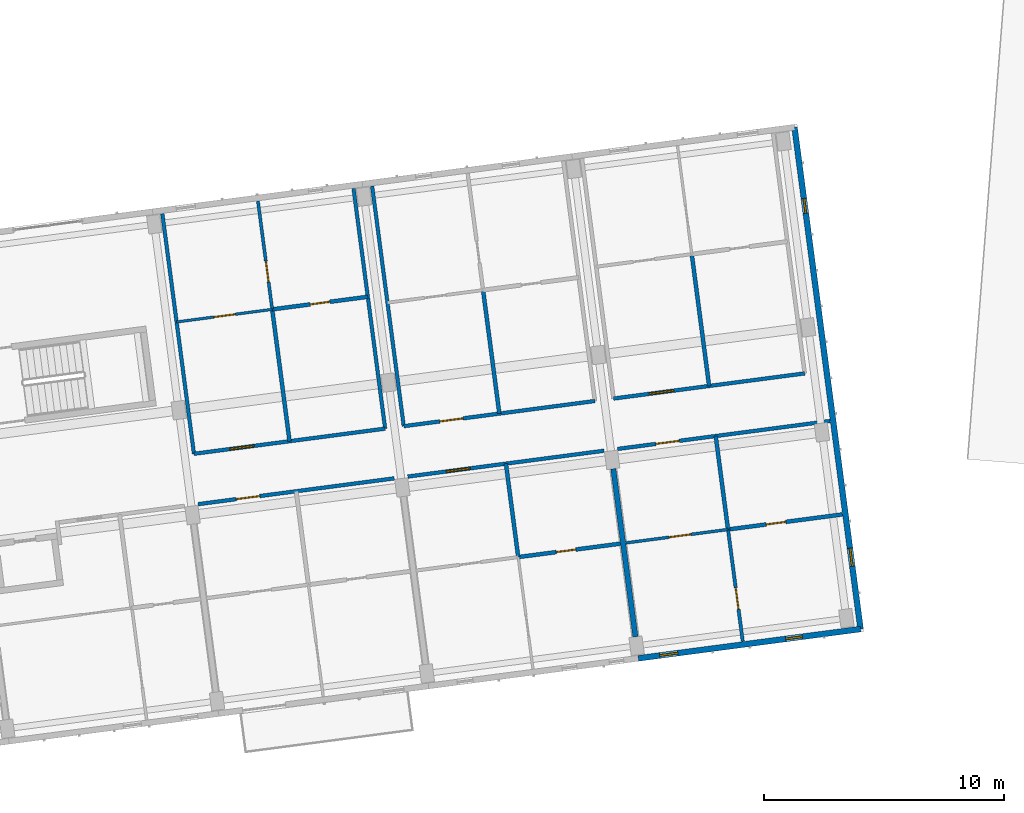
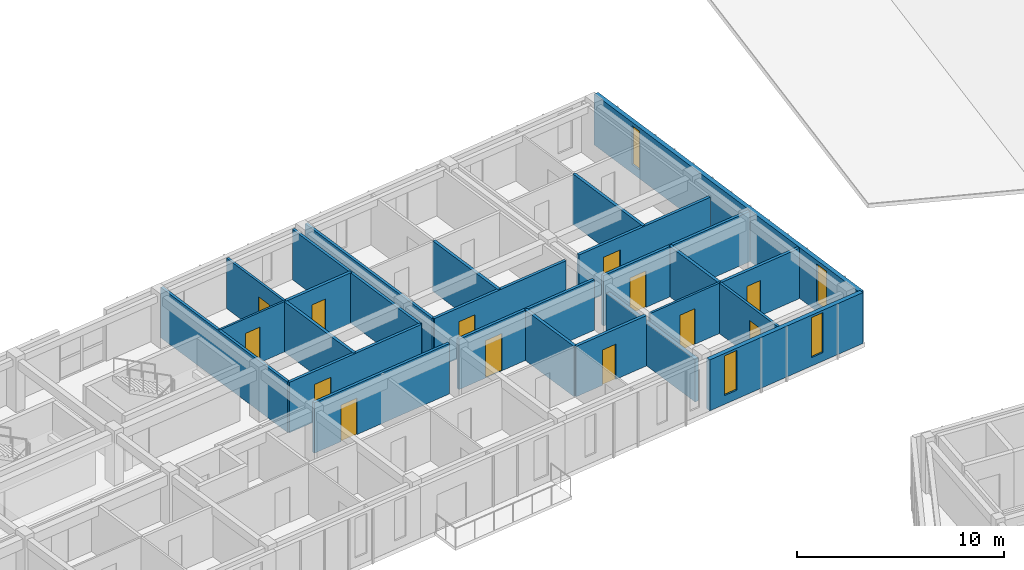
# One storey, part 27 of 74: 24 walls, 13 doors, 4 windows, 17 openings.
"""IFC4 building model written with IfcOpenShell, lengths in metres."""

from ifc_helpers import new_model, si_unit, direction, frame, frame_2d, origin, place, context, subcontext, project, spatial, rectangle, extrude, material, layer, layer_set, type_object, element, fill, save


model = new_model("IFC4")

# Units and contexts
model_context = context("Model", 3, precision=1e-05, world=origin(), true_north=direction((0.0, 1.0)))
body_context = subcontext(model_context, "Body", "Model", "MODEL_VIEW")
ifc_project = project(units=[si_unit("LENGTHUNIT", "METRE"), si_unit("AREAUNIT", "SQUARE_METRE"), si_unit("VOLUMEUNIT", "CUBIC_METRE"), si_unit("PLANEANGLEUNIT", "RADIAN"), si_unit("MASSUNIT", "GRAM", prefix="KILO")], contexts=[model_context])

# Site, building, storey
site_placement = place(None, origin())
site = spatial("IfcSite", under=ifc_project, at=site_placement, CompositionType="ELEMENT")
building_placement = place(site_placement, origin())
building = spatial("IfcBuilding", under=site, at=building_placement, Name="Kestramere Prow Commons", CompositionType="ELEMENT")
storey_placement = place(building_placement, frame((0.0, 0.0, 11.64990234375)))
storey = spatial("IfcBuildingStorey", under=building, at=storey_placement, Name="L03", CompositionType="ELEMENT", Elevation=11.64990234375)

# Wall, openings, windows
ifc_material_1 = material(Name="Fluoropolymer Standing-Seam Zinc-Aluminium Cladding", Category="aluminium")
ifc_layer_1 = layer(ifc_material_1, 0.239990234375)
ifc_layer_set_1 = layer_set([ifc_layer_1], Name="Fluoropolymer Standing-Seam Zinc-Aluminium Cladding")
wall_type_1 = type_object("IfcWallType", Name="EW-SEAM-240", PredefinedType="SOLIDWALL", material=ifc_layer_set_1)
wall_1_placement = place(storey_placement, frame((64.13720703125, 78.439697265625, 0.0), z_axis=(0.0, 0.0, 1.0), x_axis=(-0.991446273426, -0.130515466173, 0.0)))
wall_1 = element("IfcWall", 1, at=wall_1_placement, inside=storey, type_object=wall_type_1, Name="Block A L03 South Standing-Seam Wall 6", PredefinedType="SOLIDWALL", context=body_context, shape_type="SweptSolid", body=[
    extrude(rectangle(XDim=9.324951171875, YDim=0.239990234375, at=frame_2d((4.66259765625, 0.0))), origin(), (0.0, 0.0, 1.0), 3.0),
])
opening_1_placement = place(wall_1_placement, frame((2.439208984375, 0.0, 0.5)))
opening_1 = element("IfcOpeningElement", 2, at=opening_1_placement, cuts=wall_1, Name="Opening WN-07", PredefinedType="OPENING", context=body_context, shape_type="SweptSolid", body=[
    extrude(rectangle(XDim=0.699951171875, YDim=2.360107421875, at=frame_2d((0.35009765625, 1.18017578125))), frame((0.0, 0.135009765625, 0.0), z_axis=(0.0, -1.0, 0.0), x_axis=(1.0, 0.0, 0.0)), (0.0, 0.0, 1.0), 0.27001953125),
])
opening_2_placement = place(wall_1_placement, frame((7.664794921875, 0.0, 0.52001953125)))
opening_2 = element("IfcOpeningElement", 3, at=opening_2_placement, cuts=wall_1, Name="Opening WN-10", PredefinedType="OPENING", context=body_context, shape_type="SweptSolid", body=[
    extrude(rectangle(XDim=0.760009765625, YDim=2.340087890625, at=frame_2d((0.3798828125, 1.169921875))), frame((0.0, 0.135009765625, 0.0), z_axis=(0.0, -1.0, 0.0), x_axis=(1.0, 0.0, 0.0)), (0.0, 0.0, 1.0), 0.27001953125),
])
ifc_material_2 = material(Name="Low-E Laminated Double Glazing", Category="glass")
window_type_1 = type_object("IfcWindowType", Name="WN-NAR-700A", PartitioningType="SINGLE_PANEL", PredefinedType="WINDOW", material=ifc_material_2)
window_1_placement = place(opening_1_placement, origin())
window_1 = element("IfcWindow", 4, at=window_1_placement, inside=storey, type_object=window_type_1, Name="WN-A-L03-S-5-00", OverallHeight=2.360107421875, OverallWidth=0.699951171875, PartitioningType="SINGLE_PANEL", PredefinedType="WINDOW", context=body_context, shape_type="SweptSolid", body=[
    extrude(rectangle(XDim=0.699951171875, YDim=2.360107421875, at=frame_2d((0.35009765625, 1.18017578125))), frame((0.0, 0.030029296875, 0.0), z_axis=(0.0, -1.0, 0.0), x_axis=(1.0, 0.0, 0.0)), (0.0, 0.0, 1.0), 0.06005859375),
])
fill(opening_1, window_1)
window_type_2 = type_object("IfcWindowType", Name="WN-NAR-760A", PartitioningType="SINGLE_PANEL", PredefinedType="WINDOW", material=ifc_material_2)
window_2_placement = place(opening_2_placement, origin())
window_2 = element("IfcWindow", 5, at=window_2_placement, inside=storey, type_object=window_type_2, Name="WN-A-L03-S-5-10", OverallHeight=2.340087890625, OverallWidth=0.760009765625, PartitioningType="SINGLE_PANEL", PredefinedType="WINDOW", context=body_context, shape_type="SweptSolid", body=[
    extrude(rectangle(XDim=0.760009765625, YDim=2.340087890625, at=frame_2d((0.3798828125, 1.169921875))), frame((0.0, 0.030029296875, 0.0), z_axis=(0.0, -1.0, 0.0), x_axis=(1.0, 0.0, 0.0)), (0.0, 0.0, 1.0), 0.06005859375),
])
fill(opening_2, window_2)

wall_2_placement = place(storey_placement, frame((61.3896484375, 99.309814453125, 0.0), z_axis=(0.0, 0.0, 1.0), x_axis=(0.13052411616, -0.99144513469, 0.0)))
wall_2 = element("IfcWall", 6, at=wall_2_placement, inside=storey, type_object=wall_type_1, Name="Block A L03 EAV Facet Wall", PredefinedType="SOLIDWALL", context=body_context, shape_type="SweptSolid", body=[
    extrude(rectangle(XDim=21.05029296875, YDim=0.239990234375, at=frame_2d((10.525146484375, 0.0))), origin(), (0.0, 0.0, 1.0), 3.0),
])
opening_3_placement = place(wall_2_placement, frame((2.989990234375, 0.0, 0.52001953125)))
opening_3 = element("IfcOpeningElement", 7, at=opening_3_placement, cuts=wall_2, Name="Opening WN-03", PredefinedType="OPENING", context=body_context, shape_type="SweptSolid", body=[
    extrude(rectangle(XDim=0.6201171875, YDim=2.280029296875, at=frame_2d((0.31005859375, 1.14013671875))), frame((0.0, 0.135009765625, 0.0), z_axis=(0.0, -1.0, 0.0), x_axis=(1.0, 0.0, 0.0)), (0.0, 0.0, 1.0), 0.27001953125),
])
opening_4_placement = place(wall_2_placement, frame((17.659912109375, 0.0, 0.449951171875)))
opening_4 = element("IfcOpeningElement", 8, at=opening_4_placement, cuts=wall_2, Name="Opening WN-10", PredefinedType="OPENING", context=body_context, shape_type="SweptSolid", body=[
    extrude(rectangle(XDim=0.760009765625, YDim=2.340087890625, at=frame_2d((0.3798828125, 1.169921875))), frame((0.0, 0.135009765625, 0.0), z_axis=(0.0, -1.0, 0.0), x_axis=(1.0, 0.0, 0.0)), (0.0, 0.0, 1.0), 0.27001953125),
])
window_type_3 = type_object("IfcWindowType", Name="WN-NAR-620A", PartitioningType="SINGLE_PANEL", PredefinedType="WINDOW", material=ifc_material_2)
window_3_placement = place(opening_3_placement, origin())
window_3 = element("IfcWindow", 9, at=window_3_placement, inside=storey, type_object=window_type_3, Name="WN-A-L03-EAV-0", OverallHeight=2.280029296875, OverallWidth=0.6201171875, PartitioningType="SINGLE_PANEL", PredefinedType="WINDOW", context=body_context, shape_type="SweptSolid", body=[
    extrude(rectangle(XDim=0.6201171875, YDim=2.280029296875, at=frame_2d((0.31005859375, 1.14013671875))), frame((0.0, 0.030029296875, 0.0), z_axis=(0.0, -1.0, 0.0), x_axis=(1.0, 0.0, 0.0)), (0.0, 0.0, 1.0), 0.06005859375),
])
fill(opening_3, window_3)
window_4_placement = place(opening_4_placement, origin())
window_4 = element("IfcWindow", 10, at=window_4_placement, inside=storey, type_object=window_type_2, Name="WN-A-L03-EAV-1", OverallHeight=2.340087890625, OverallWidth=0.760009765625, PartitioningType="SINGLE_PANEL", PredefinedType="WINDOW", context=body_context, shape_type="SweptSolid", body=[
    extrude(rectangle(XDim=0.760009765625, YDim=2.340087890625, at=frame_2d((0.3798828125, 1.169921875))), frame((0.0, 0.030029296875, 0.0), z_axis=(0.0, -1.0, 0.0), x_axis=(1.0, 0.0, 0.0)), (0.0, 0.0, 1.0), 0.06005859375),
])
fill(opening_4, window_4)

# Wall, opening, door
ifc_material_3 = material(Name="Fire-Rated Calcium Silicate Wall")
ifc_layer_2 = layer(ifc_material_3, 0.155029296875)
ifc_layer_set_2 = layer_set([ifc_layer_2], Name="Fire-Rated Calcium Silicate Wall")
wall_type_2 = type_object("IfcWallType", Name="W-FIRE-150", PredefinedType="PARTITIONING", material=ifc_layer_set_2)
wall_3_placement = place(storey_placement, frame((36.583740234375, 83.6328125, 0.0), z_axis=(0.0, 0.0, 1.0), x_axis=(0.991445206002, 0.130523574484, 0.0)))
wall_3 = element("IfcWall", 11, at=wall_3_placement, inside=storey, type_object=wall_type_2, Name="Interior Partition PW-A-L03-CS-3", PredefinedType="PARTITIONING", context=body_context, shape_type="SweptSolid", body=[
    extrude(rectangle(XDim=8.22998046875, YDim=0.155029296875, at=frame_2d((4.114990234375, 0.0))), origin(), (0.0, 0.0, 1.0), 2.97021484375),
])
opening_5_placement = place(wall_3_placement, frame((1.60498046875, 0.0, 0.0)))
opening_5 = element("IfcOpeningElement", 12, at=opening_5_placement, cuts=wall_3, Name="Opening ID-04", PredefinedType="OPENING", context=body_context, shape_type="SweptSolid", body=[
    extrude(rectangle(XDim=0.97998046875, YDim=2.14990234375, at=frame_2d((0.489990234375, 1.074951171875))), frame((0.0, 0.092529296875, 0.0), z_axis=(0.0, -1.0, 0.0), x_axis=(1.0, 0.0, 0.0)), (0.0, 0.0, 1.0), 0.18505859375),
])
ifc_material_4 = material(Name="Hardwood Fire-Rated Flat Entrance Door", Category="wood")
door_type_1 = type_object("IfcDoorType", Name="FD-ENT-01", OperationType="NOTDEFINED", PredefinedType="DOOR", material=ifc_material_4)
door_1_placement = place(opening_5_placement, origin())
door_1 = element("IfcDoor", 13, at=door_1_placement, inside=storey, type_object=door_type_1, Name="Interior Door DR-A-L03-ENT-S3", OperationType="SINGLE_SWING_LEFT", OverallHeight=2.14990234375, OverallWidth=0.97998046875, PredefinedType="DOOR", context=body_context, shape_type="SweptSolid", body=[
    extrude(rectangle(XDim=0.97998046875, YDim=2.14990234375, at=frame_2d((0.489990234375, 1.074951171875))), frame((0.0, 0.02490234375, 0.0), z_axis=(0.0, -1.0, 0.0), x_axis=(1.0, 0.0, 0.0)), (0.0, 0.0, 1.0), 0.050048828125),
])
fill(opening_5, door_1)

wall_4_placement = place(storey_placement, frame((45.30859375, 84.781494140625, 0.0), z_axis=(0.0, 0.0, 1.0), x_axis=(0.991444700604, 0.130527413383, 0.0)))
wall_4 = element("IfcWall", 14, at=wall_4_placement, inside=storey, type_object=wall_type_2, Name="Interior Partition PW-A-L03-CS-4", PredefinedType="PARTITIONING", context=body_context, shape_type="SweptSolid", body=[
    extrude(rectangle(XDim=8.229736328125, YDim=0.155029296875, at=frame_2d((4.11474609375, 0.0))), origin(), (0.0, 0.0, 1.0), 2.97021484375),
])
opening_6_placement = place(wall_4_placement, frame((1.60498046875, 0.0, 0.0)))
opening_6 = element("IfcOpeningElement", 15, at=opening_6_placement, cuts=wall_4, Name="Opening ID-05", PredefinedType="OPENING", context=body_context, shape_type="SweptSolid", body=[
    extrude(rectangle(XDim=1.02001953125, YDim=2.199951171875, at=frame_2d((0.510009765625, 1.10009765625))), frame((0.0, 0.092529296875, 0.0), z_axis=(0.0, -1.0, 0.0), x_axis=(1.0, 0.0, 0.0)), (0.0, 0.0, 1.0), 0.18505859375),
])
door_type_2 = type_object("IfcDoorType", Name="FD-ENT-02", OperationType="NOTDEFINED", PredefinedType="DOOR", material=ifc_material_4)
door_2_placement = place(opening_6_placement, origin())
door_2 = element("IfcDoor", 16, at=door_2_placement, inside=storey, type_object=door_type_2, Name="Interior Door DR-A-L03-ENT-S4", OperationType="SINGLE_SWING_RIGHT", OverallHeight=2.199951171875, OverallWidth=1.02001953125, PredefinedType="DOOR", context=body_context, shape_type="SweptSolid", body=[
    extrude(rectangle(XDim=1.02001953125, YDim=2.199951171875, at=frame_2d((0.510009765625, 1.10009765625))), frame((0.0, 0.02490234375, 0.0), z_axis=(0.0, -1.0, 0.0), x_axis=(1.0, 0.0, 0.0)), (0.0, 0.0, 1.0), 0.050048828125),
])
fill(opening_6, door_2)

wall_5_placement = place(storey_placement, frame((54.033203125, 85.929931640625, 0.0), z_axis=(0.0, 0.0, 1.0), x_axis=(0.991443380249, 0.130537441989, 0.0)))
wall_5 = element("IfcWall", 17, at=wall_5_placement, inside=storey, type_object=wall_type_2, Name="Interior Partition PW-A-L03-CS-5", PredefinedType="PARTITIONING", context=body_context, shape_type="SweptSolid", body=[
    extrude(rectangle(XDim=8.909912109375, YDim=0.155029296875, at=frame_2d((4.455078125, 0.0))), origin(), (0.0, 0.0, 1.0), 2.97021484375),
])
opening_7_placement = place(wall_5_placement, frame((1.60498046875, 0.0, 0.0)))
opening_7 = element("IfcOpeningElement", 18, at=opening_7_placement, cuts=wall_5, Name="Opening ID-04", PredefinedType="OPENING", context=body_context, shape_type="SweptSolid", body=[
    extrude(rectangle(XDim=0.97998046875, YDim=2.14990234375, at=frame_2d((0.489990234375, 1.074951171875))), frame((0.0, 0.092529296875, 0.0), z_axis=(0.0, -1.0, 0.0), x_axis=(1.0, 0.0, 0.0)), (0.0, 0.0, 1.0), 0.18505859375),
])
door_3_placement = place(opening_7_placement, origin())
door_3 = element("IfcDoor", 19, at=door_3_placement, inside=storey, type_object=door_type_1, Name="Interior Door DR-A-L03-ENT-S5", OperationType="SINGLE_SWING_LEFT", OverallHeight=2.14990234375, OverallWidth=0.97998046875, PredefinedType="DOOR", context=body_context, shape_type="SweptSolid", body=[
    extrude(rectangle(XDim=0.97998046875, YDim=2.14990234375, at=frame_2d((0.489990234375, 1.074951171875))), frame((0.0, 0.02490234375, 0.0), z_axis=(0.0, -1.0, 0.0), x_axis=(1.0, 0.0, 0.0)), (0.0, 0.0, 1.0), 0.050048828125),
])
fill(opening_7, door_3)

wall_6_placement = place(storey_placement, frame((36.413818359375, 85.728515625, 0.0), z_axis=(0.0, 0.0, 1.0), x_axis=(0.991444034844, 0.130532470184, 0.0)))
wall_6 = element("IfcWall", 20, at=wall_6_placement, inside=storey, type_object=wall_type_2, Name="Interior Partition PW-A-L03-CN-3", PredefinedType="PARTITIONING", context=body_context, shape_type="SweptSolid", body=[
    extrude(rectangle(XDim=8.02001953125, YDim=0.155029296875, at=frame_2d((4.010009765625, 0.0))), origin(), (0.0, 0.0, 1.0), 2.97021484375),
])
opening_8_placement = place(wall_6_placement, frame((1.5048828125, 0.0, 0.0)))
opening_8 = element("IfcOpeningElement", 21, at=opening_8_placement, cuts=wall_6, Name="Opening ID-05", PredefinedType="OPENING", context=body_context, shape_type="SweptSolid", body=[
    extrude(rectangle(XDim=1.02001953125, YDim=2.199951171875, at=frame_2d((0.510009765625, 1.10009765625))), frame((0.0, 0.092529296875, 0.0), z_axis=(0.0, -1.0, 0.0), x_axis=(1.0, 0.0, 0.0)), (0.0, 0.0, 1.0), 0.18505859375),
])
door_4_placement = place(opening_8_placement, origin())
door_4 = element("IfcDoor", 22, at=door_4_placement, inside=storey, type_object=door_type_2, Name="Interior Door DR-A-L03-ENT-N3", OperationType="SINGLE_SWING_RIGHT", OverallHeight=2.199951171875, OverallWidth=1.02001953125, PredefinedType="DOOR", context=body_context, shape_type="SweptSolid", body=[
    extrude(rectangle(XDim=1.02001953125, YDim=2.199951171875, at=frame_2d((0.510009765625, 1.10009765625))), frame((0.0, 0.02490234375, 0.0), z_axis=(0.0, -1.0, 0.0), x_axis=(1.0, 0.0, 0.0)), (0.0, 0.0, 1.0), 0.050048828125),
])
fill(opening_8, door_4)

wall_7_placement = place(storey_placement, frame((45.138427734375, 86.877197265625, 0.0), z_axis=(0.0, 0.0, 1.0), x_axis=(0.991444034844, 0.130532470184, 0.0)))
wall_7 = element("IfcWall", 23, at=wall_7_placement, inside=storey, type_object=wall_type_2, Name="Interior Partition PW-A-L03-CN-4", PredefinedType="PARTITIONING", context=body_context, shape_type="SweptSolid", body=[
    extrude(rectangle(XDim=8.02001953125, YDim=0.155029296875, at=frame_2d((4.010009765625, 0.0))), origin(), (0.0, 0.0, 1.0), 2.97021484375),
])
opening_9_placement = place(wall_7_placement, frame((1.5048828125, 0.0, 0.0)))
opening_9 = element("IfcOpeningElement", 24, at=opening_9_placement, cuts=wall_7, Name="Opening ID-04", PredefinedType="OPENING", context=body_context, shape_type="SweptSolid", body=[
    extrude(rectangle(XDim=0.97998046875, YDim=2.14990234375, at=frame_2d((0.489990234375, 1.074951171875))), frame((0.0, 0.092529296875, 0.0), z_axis=(0.0, -1.0, 0.0), x_axis=(1.0, 0.0, 0.0)), (0.0, 0.0, 1.0), 0.18505859375),
])
door_5_placement = place(opening_9_placement, origin())
door_5 = element("IfcDoor", 25, at=door_5_placement, inside=storey, type_object=door_type_1, Name="Interior Door DR-A-L03-ENT-N4", OperationType="SINGLE_SWING_LEFT", OverallHeight=2.14990234375, OverallWidth=0.97998046875, PredefinedType="DOOR", context=body_context, shape_type="SweptSolid", body=[
    extrude(rectangle(XDim=0.97998046875, YDim=2.14990234375, at=frame_2d((0.489990234375, 1.074951171875))), frame((0.0, 0.02490234375, 0.0), z_axis=(0.0, -1.0, 0.0), x_axis=(1.0, 0.0, 0.0)), (0.0, 0.0, 1.0), 0.050048828125),
])
fill(opening_9, door_5)

wall_8_placement = place(storey_placement, frame((53.86328125, 88.02587890625, 0.0), z_axis=(0.0, 0.0, 1.0), x_axis=(0.991447973994, 0.130502547346, 0.0)))
wall_8 = element("IfcWall", 26, at=wall_8_placement, inside=storey, type_object=wall_type_2, Name="Interior Partition PW-A-L03-CN-5", PredefinedType="PARTITIONING", context=body_context, shape_type="SweptSolid", body=[
    extrude(rectangle(XDim=8.02001953125, YDim=0.155029296875, at=frame_2d((4.010009765625, 0.0))), origin(), (0.0, 0.0, 1.0), 2.97021484375),
])
opening_10_placement = place(wall_8_placement, frame((1.5048828125, 0.0, 0.0)))
opening_10 = element("IfcOpeningElement", 27, at=opening_10_placement, cuts=wall_8, Name="Opening ID-05", PredefinedType="OPENING", context=body_context, shape_type="SweptSolid", body=[
    extrude(rectangle(XDim=1.02001953125, YDim=2.199951171875, at=frame_2d((0.510009765625, 1.10009765625))), frame((0.0, 0.092529296875, 0.0), z_axis=(0.0, -1.0, 0.0), x_axis=(1.0, 0.0, 0.0)), (0.0, 0.0, 1.0), 0.18505859375),
])
door_6_placement = place(opening_10_placement, origin())
door_6 = element("IfcDoor", 28, at=door_6_placement, inside=storey, type_object=door_type_2, Name="Interior Door DR-A-L03-ENT-N5", OperationType="SINGLE_SWING_RIGHT", OverallHeight=2.199951171875, OverallWidth=1.02001953125, PredefinedType="DOOR", context=body_context, shape_type="SweptSolid", body=[
    extrude(rectangle(XDim=1.02001953125, YDim=2.199951171875, at=frame_2d((0.510009765625, 1.10009765625))), frame((0.0, 0.02490234375, 0.0), z_axis=(0.0, -1.0, 0.0), x_axis=(1.0, 0.0, 0.0)), (0.0, 0.0, 1.0), 0.050048828125),
])
fill(opening_10, door_6)

ifc_material_5 = material(Name="Gypsum Acoustic Drywall")
ifc_layer_3 = layer(ifc_material_5, 0.110107421875)
ifc_layer_set_3 = layer_set([ifc_layer_3], Name="Gypsum Acoustic Drywall")
wall_type_3 = type_object("IfcWallType", Name="W-PART-110", PredefinedType="PARTITIONING", material=ifc_layer_set_3)
wall_9_placement = place(storey_placement, frame((35.69189453125, 91.211181640625, 0.0), z_axis=(0.0, 0.0, 1.0), x_axis=(0.991444553502, 0.130528530716, 0.0)))
wall_9 = element("IfcWall", 29, at=wall_9_placement, inside=storey, type_object=wall_type_3, Name="Interior Partition PW-A-L03-MIDN1-3", PredefinedType="PARTITIONING", context=body_context, shape_type="SweptSolid", body=[
    extrude(rectangle(XDim=4.01025390625, YDim=0.110107421875, at=frame_2d((2.005126953125, 0.0))), origin(), (0.0, 0.0, 1.0), 2.97021484375),
])
opening_11_placement = place(wall_9_placement, frame((1.554931640625, 0.0, 0.0)))
opening_11 = element("IfcOpeningElement", 30, at=opening_11_placement, cuts=wall_9, Name="Opening ID-08", PredefinedType="OPENING", context=body_context, shape_type="SweptSolid", body=[
    extrude(rectangle(XDim=0.89990234375, YDim=2.10009765625, at=frame_2d((0.449951171875, 1.050048828125))), frame((0.0, 0.070068359375, 0.0), z_axis=(0.0, -1.0, 0.0), x_axis=(1.0, 0.0, 0.0)), (0.0, 0.0, 1.0), 0.14013671875),
])
ifc_material_6 = material(Name="Engineered Timber Flush Door", Category="wood")
door_type_3 = type_object("IfcDoorType", Name="D-RM-01", OperationType="NOTDEFINED", PredefinedType="DOOR", material=ifc_material_6)
door_7_placement = place(opening_11_placement, origin())
door_7 = element("IfcDoor", 31, at=door_7_placement, inside=storey, type_object=door_type_3, Name="Interior Door DR-A-L03-KL-N3", OperationType="SINGLE_SWING_LEFT", OverallHeight=2.10009765625, OverallWidth=0.89990234375, PredefinedType="DOOR", context=body_context, shape_type="SweptSolid", body=[
    extrude(rectangle(XDim=0.89990234375, YDim=2.10009765625, at=frame_2d((0.449951171875, 1.050048828125))), frame((0.0, 0.02490234375, 0.0), z_axis=(0.0, -1.0, 0.0), x_axis=(1.0, 0.0, 0.0)), (0.0, 0.0, 1.0), 0.050048828125),
])
fill(opening_11, door_7)

ifc_material_7 = material(Name="Lightweight Blockwork and Plaster", Category="masonry")
ifc_layer_4 = layer(ifc_material_7, 0.1201171875)
ifc_layer_set_4 = layer_set([ifc_layer_4], Name="Lightweight Blockwork and Plaster")
wall_type_4 = type_object("IfcWallType", Name="W-PART-120", PredefinedType="PARTITIONING", material=ifc_layer_set_4)
wall_10_placement = place(storey_placement, frame((54.376220703125, 82.021484375, 0.0), z_axis=(0.0, 0.0, 1.0), x_axis=(0.991452356241, 0.130469250419, 0.0)))
wall_10 = element("IfcWall", 32, at=wall_10_placement, inside=storey, type_object=wall_type_4, Name="Interior Partition PW-A-L03-MIDS1-5", PredefinedType="PARTITIONING", context=body_context, shape_type="SweptSolid", body=[
    extrude(rectangle(XDim=4.28515625, YDim=0.1201171875, at=frame_2d((2.142578125, 0.0))), origin(), (0.0, 0.0, 1.0), 2.97021484375),
])
opening_12_placement = place(wall_10_placement, frame((1.824951171875, 0.0, 0.0)))
opening_12 = element("IfcOpeningElement", 33, at=opening_12_placement, cuts=wall_10, Name="Opening ID-08", PredefinedType="OPENING", context=body_context, shape_type="SweptSolid", body=[
    extrude(rectangle(XDim=0.89990234375, YDim=2.10009765625, at=frame_2d((0.449951171875, 1.050048828125))), frame((0.0, 0.074951171875, 0.0), z_axis=(0.0, -1.0, 0.0), x_axis=(1.0, 0.0, 0.0)), (0.0, 0.0, 1.0), 0.150146484375),
])
door_8_placement = place(opening_12_placement, origin())
door_8 = element("IfcDoor", 34, at=door_8_placement, inside=storey, type_object=door_type_3, Name="Interior Door DR-A-L03-KL-S5", OperationType="SINGLE_SWING_RIGHT", OverallHeight=2.10009765625, OverallWidth=0.89990234375, PredefinedType="DOOR", context=body_context, shape_type="SweptSolid", body=[
    extrude(rectangle(XDim=0.89990234375, YDim=2.10009765625, at=frame_2d((0.449951171875, 1.050048828125))), frame((0.0, 0.02490234375, 0.0), z_axis=(0.0, -1.0, 0.0), x_axis=(1.0, 0.0, 0.0)), (0.0, 0.0, 1.0), 0.050048828125),
])
fill(opening_12, door_8)

ifc_layer_5 = layer(ifc_material_7, 0.1298828125)
ifc_layer_set_5 = layer_set([ifc_layer_5], Name="Lightweight Blockwork and Plaster")
wall_type_5 = type_object("IfcWallType", Name="W-PART-130", PredefinedType="PARTITIONING", material=ifc_layer_set_5)
wall_11_placement = place(storey_placement, frame((39.667724609375, 91.734619140625, 0.0), z_axis=(0.0, 0.0, 1.0), x_axis=(-0.130564403497, 0.991439830015, 0.0)))
wall_11 = element("IfcWall", 35, at=wall_11_placement, inside=storey, type_object=wall_type_5, Name="Interior Partition PW-A-L03-LB-N3", PredefinedType="PARTITIONING", context=body_context, shape_type="SweptSolid", body=[
    extrude(rectangle(XDim=4.5400390625, YDim=0.1298828125, at=frame_2d((2.27001953125, 0.0))), origin(), (0.0, 0.0, 1.0), 2.97021484375),
])
opening_13_placement = place(wall_11_placement, frame((1.14990234375, 0.0, 0.0)))
opening_13 = element("IfcOpeningElement", 36, at=opening_13_placement, cuts=wall_11, Name="Opening ID-10", PredefinedType="OPENING", context=body_context, shape_type="SweptSolid", body=[
    extrude(rectangle(XDim=0.8798828125, YDim=2.10009765625, at=frame_2d((0.43994140625, 1.050048828125))), frame((0.0, 0.079833984375, 0.0), z_axis=(0.0, -1.0, 0.0), x_axis=(1.0, 0.0, 0.0)), (0.0, 0.0, 1.0), 0.159912109375),
])
ifc_material_8 = material(Name="Engineered Timber Bedroom Door", Category="wood")
door_type_4 = type_object("IfcDoorType", Name="D-RM-03", OperationType="NOTDEFINED", PredefinedType="DOOR", material=ifc_material_8)
door_9_placement = place(opening_13_placement, origin())
door_9 = element("IfcDoor", 37, at=door_9_placement, inside=storey, type_object=door_type_4, Name="Interior Door DR-A-L03-BED-N3", OperationType="SINGLE_SWING_LEFT", OverallHeight=2.10009765625, OverallWidth=0.8798828125, PredefinedType="DOOR", context=body_context, shape_type="SweptSolid", body=[
    extrude(rectangle(XDim=0.8798828125, YDim=2.10009765625, at=frame_2d((0.43994140625, 1.050048828125))), frame((0.0, 0.02490234375, 0.0), z_axis=(0.0, -1.0, 0.0), x_axis=(1.0, 0.0, 0.0)), (0.0, 0.0, 1.0), 0.050048828125),
])
fill(opening_13, door_9)

ifc_material_9 = material(Name="Masonry Compartment Wall", Category="masonry")
ifc_layer_6 = layer(ifc_material_9, 0.139892578125)
ifc_layer_set_6 = layer_set([ifc_layer_6], Name="Masonry Compartment Wall")
wall_type_6 = type_object("IfcWallType", Name="W-PART-140", PredefinedType="PARTITIONING", material=ifc_layer_set_6)
wall_12_placement = place(storey_placement, frame((59.23681640625, 77.930908203125, 0.0), z_axis=(0.0, 0.0, 1.0), x_axis=(-0.13050972446, 0.991447029256, 0.0)))
wall_12 = element("IfcWall", 38, at=wall_12_placement, inside=storey, type_object=wall_type_6, Name="Interior Partition PW-A-L03-LB-S5", PredefinedType="PARTITIONING", context=body_context, shape_type="SweptSolid", body=[
    extrude(rectangle(XDim=4.689697265625, YDim=0.139892578125, at=frame_2d((2.3447265625, 0.0))), origin(), (0.0, 0.0, 1.0), 2.97021484375),
])
opening_14_placement = place(wall_12_placement, frame((1.35009765625, 0.0, 0.0)))
opening_14 = element("IfcOpeningElement", 39, at=opening_14_placement, cuts=wall_12, Name="Opening ID-08", PredefinedType="OPENING", context=body_context, shape_type="SweptSolid", body=[
    extrude(rectangle(XDim=0.89990234375, YDim=2.10009765625, at=frame_2d((0.449951171875, 1.050048828125))), frame((0.0, 0.0849609375, 0.0), z_axis=(0.0, -1.0, 0.0), x_axis=(1.0, 0.0, 0.0)), (0.0, 0.0, 1.0), 0.169921875),
])
door_10_placement = place(opening_14_placement, origin())
door_10 = element("IfcDoor", 40, at=door_10_placement, inside=storey, type_object=door_type_3, Name="Interior Door DR-A-L03-BED-S5", OperationType="SINGLE_SWING_RIGHT", OverallHeight=2.10009765625, OverallWidth=0.89990234375, PredefinedType="DOOR", context=body_context, shape_type="SweptSolid", body=[
    extrude(rectangle(XDim=0.89990234375, YDim=2.10009765625, at=frame_2d((0.449951171875, 1.050048828125))), frame((0.0, 0.02490234375, 0.0), z_axis=(0.0, -1.0, 0.0), x_axis=(1.0, 0.0, 0.0)), (0.0, 0.0, 1.0), 0.050048828125),
])
fill(opening_14, door_10)

# Walls
ifc_layer_7 = layer(ifc_material_9, 0.14990234375)
ifc_layer_set_7 = layer_set([ifc_layer_7], Name="Masonry Compartment Wall")
wall_type_7 = type_object("IfcWallType", Name="W-PART-150", PredefinedType="PARTITIONING", material=ifc_layer_set_7)
for number, where, z_axis, x_axis, name in (
    (41, (36.413818359375, 85.728515625, 0.0), (0.0, 0.0, 1.0), (-0.130531024319, 0.991444225204, 0.0), "Interior Partition PW-A-L03-NWL-3"),
    (42, (44.365234375, 86.775390625, 0.0), (0.0, 0.0, 1.0), (-0.130531024319, 0.991444225204, 0.0), "Interior Partition PW-A-L03-NWR-3"),
    (43, (45.138427734375, 86.877197265625, 0.0), (0.0, 0.0, 1.0), (-0.130531024319, 0.991444225204, 0.0), "Interior Partition PW-A-L03-NWL-4"),
):
    element("IfcWall", number, at=place(storey_placement, frame(where, z_axis=z_axis, x_axis=x_axis)), inside=storey, type_object=wall_type_7, Name=name, PredefinedType="PARTITIONING", context=body_context, shape_type="SweptSolid", body=[
        extrude(rectangle(XDim=10.070068359375, YDim=0.14990234375, at=frame_2d((5.03515625, 0.0))), origin(), (0.0, 0.0, 1.0), 2.97021484375),
    ])

# Wall, opening, door
ifc_material_10 = material(Name="Waterproof Sanitary Masonry Wall", Category="masonry")
ifc_layer_8 = layer(ifc_material_10, 0.1650390625)
ifc_layer_set_8 = layer_set([ifc_layer_8], Name="Waterproof Sanitary Masonry Wall")
wall_type_8 = type_object("IfcWallType", Name="W-PLUMB-150", PredefinedType="PLUMBINGWALL", material=ifc_layer_set_8)
wall_13_placement = place(storey_placement, frame((49.89990234375, 81.43212890625, 0.0), z_axis=(0.0, 0.0, 1.0), x_axis=(0.991444014242, 0.130532626667, 0.0)))
wall_13 = element("IfcWall", 44, at=wall_13_placement, inside=storey, type_object=wall_type_8, Name="Interior Partition PW-A-L03-MIDS2-4", PredefinedType="PLUMBINGWALL", context=body_context, shape_type="SweptSolid", body=[
    extrude(rectangle(XDim=4.284912109375, YDim=0.1650390625, at=frame_2d((2.142578125, 0.0))), origin(), (0.0, 0.0, 1.0), 2.97021484375),
])
opening_15_placement = place(wall_13_placement, frame((1.60009765625, 0.0, 0.0)))
opening_15 = element("IfcOpeningElement", 45, at=opening_15_placement, cuts=wall_13, Name="Opening ID-11", PredefinedType="OPENING", context=body_context, shape_type="SweptSolid", body=[
    extrude(rectangle(XDim=0.820068359375, YDim=2.080078125, at=frame_2d((0.41015625, 1.0400390625))), frame((0.0, 0.097412109375, 0.0), z_axis=(0.0, -1.0, 0.0), x_axis=(1.0, 0.0, 0.0)), (0.0, 0.0, 1.0), 0.195068359375),
])
ifc_material_11 = material(Name="Moisture-Resistant Timber Bathroom Door", Category="wood")
door_type_5 = type_object("IfcDoorType", Name="D-BT-01", OperationType="NOTDEFINED", PredefinedType="DOOR", material=ifc_material_11)
door_11_placement = place(opening_15_placement, origin())
door_11 = element("IfcDoor", 46, at=door_11_placement, inside=storey, type_object=door_type_5, Name="Interior Door DR-A-L03-BTH-S4", OperationType="SINGLE_SWING_LEFT", OverallHeight=2.080078125, OverallWidth=0.820068359375, PredefinedType="DOOR", context=body_context, shape_type="SweptSolid", body=[
    extrude(rectangle(XDim=0.820068359375, YDim=2.080078125, at=frame_2d((0.41015625, 1.0400390625))), frame((0.0, 0.02490234375, 0.0), z_axis=(0.0, -1.0, 0.0), x_axis=(1.0, 0.0, 0.0)), (0.0, 0.0, 1.0), 0.050048828125),
])
fill(opening_15, door_11)

# Wall
wall_14_placement = place(storey_placement, frame((49.89990234375, 81.43212890625, 0.0), z_axis=(0.0, 0.0, 1.0), x_axis=(-0.130539898676, 0.991443056788, 0.0)))
element("IfcWall", 47, at=wall_14_placement, inside=storey, type_object=wall_type_8, Name="Interior Partition PW-A-L03-KB-S4", PredefinedType="PLUMBINGWALL", context=body_context, shape_type="SweptSolid", body=[
    extrude(rectangle(XDim=3.919921875, YDim=0.1650390625, at=frame_2d((1.9599609375, 0.0))), origin(), (0.0, 0.0, 1.0), 2.97021484375),
])

# Wall, opening, door
wall_15_placement = place(storey_placement, frame((58.624755859375, 82.58056640625, 0.0), z_axis=(0.0, 0.0, 1.0), x_axis=(0.991441813226, 0.130549343114, 0.0)))
wall_15 = element("IfcWall", 48, at=wall_15_placement, inside=storey, type_object=wall_type_8, Name="Interior Partition PW-A-L03-MIDS2-5", PredefinedType="PLUMBINGWALL", context=body_context, shape_type="SweptSolid", body=[
    extrude(rectangle(XDim=4.794921875, YDim=0.1650390625, at=frame_2d((2.3974609375, 0.0))), origin(), (0.0, 0.0, 1.0), 2.97021484375),
])
opening_16_placement = place(wall_15_placement, frame((1.60009765625, 0.0, 0.0)))
opening_16 = element("IfcOpeningElement", 49, at=opening_16_placement, cuts=wall_15, Name="Opening ID-11", PredefinedType="OPENING", context=body_context, shape_type="SweptSolid", body=[
    extrude(rectangle(XDim=0.820068359375, YDim=2.080078125, at=frame_2d((0.41015625, 1.0400390625))), frame((0.0, 0.097412109375, 0.0), z_axis=(0.0, -1.0, 0.0), x_axis=(1.0, 0.0, 0.0)), (0.0, 0.0, 1.0), 0.195068359375),
])
door_12_placement = place(opening_16_placement, origin())
door_12 = element("IfcDoor", 50, at=door_12_placement, inside=storey, type_object=door_type_5, Name="Interior Door DR-A-L03-BTH-S5", OperationType="SINGLE_SWING_LEFT", OverallHeight=2.080078125, OverallWidth=0.820068359375, PredefinedType="DOOR", context=body_context, shape_type="SweptSolid", body=[
    extrude(rectangle(XDim=0.820068359375, YDim=2.080078125, at=frame_2d((0.41015625, 1.0400390625))), frame((0.0, 0.02490234375, 0.0), z_axis=(0.0, -1.0, 0.0), x_axis=(1.0, 0.0, 0.0)), (0.0, 0.0, 1.0), 0.050048828125),
])
fill(opening_16, door_12)

# Wall
wall_16_placement = place(storey_placement, frame((58.624755859375, 82.58056640625, 0.0), z_axis=(0.0, 0.0, 1.0), x_axis=(-0.130539898676, 0.991443056788, 0.0)))
element("IfcWall", 51, at=wall_16_placement, inside=storey, type_object=wall_type_8, Name="Interior Partition PW-A-L03-KB-S5", PredefinedType="PLUMBINGWALL", context=body_context, shape_type="SweptSolid", body=[
    extrude(rectangle(XDim=3.919921875, YDim=0.1650390625, at=frame_2d((1.9599609375, 0.0))), origin(), (0.0, 0.0, 1.0), 2.97021484375),
])

# Wall, opening, door
wall_17_placement = place(storey_placement, frame((39.667724609375, 91.734619140625, 0.0), z_axis=(0.0, 0.0, 1.0), x_axis=(0.991443516139, 0.130536409887, 0.0)))
wall_17 = element("IfcWall", 52, at=wall_17_placement, inside=storey, type_object=wall_type_8, Name="Interior Partition PW-A-L03-MIDN2-3", PredefinedType="PLUMBINGWALL", context=body_context, shape_type="SweptSolid", body=[
    extrude(rectangle(XDim=4.010009765625, YDim=0.1650390625, at=frame_2d((2.0048828125, 0.0))), origin(), (0.0, 0.0, 1.0), 2.97021484375),
])
opening_17_placement = place(wall_17_placement, frame((1.594970703125, 0.0, 0.0)))
opening_17 = element("IfcOpeningElement", 53, at=opening_17_placement, cuts=wall_17, Name="Opening ID-11", PredefinedType="OPENING", context=body_context, shape_type="SweptSolid", body=[
    extrude(rectangle(XDim=0.820068359375, YDim=2.080078125, at=frame_2d((0.41015625, 1.0400390625))), frame((0.0, 0.097412109375, 0.0), z_axis=(0.0, -1.0, 0.0), x_axis=(1.0, 0.0, 0.0)), (0.0, 0.0, 1.0), 0.195068359375),
])
door_13_placement = place(opening_17_placement, origin())
door_13 = element("IfcDoor", 54, at=door_13_placement, inside=storey, type_object=door_type_5, Name="Interior Door DR-A-L03-BTH-N3", OperationType="SINGLE_SWING_RIGHT", OverallHeight=2.080078125, OverallWidth=0.820068359375, PredefinedType="DOOR", context=body_context, shape_type="SweptSolid", body=[
    extrude(rectangle(XDim=0.820068359375, YDim=2.080078125, at=frame_2d((0.41015625, 1.0400390625))), frame((0.0, 0.02490234375, 0.0), z_axis=(0.0, -1.0, 0.0), x_axis=(1.0, 0.0, 0.0)), (0.0, 0.0, 1.0), 0.050048828125),
])
fill(opening_17, door_13)

# Walls
wall_18_placement = place(storey_placement, frame((40.389404296875, 86.251953125, 0.0), z_axis=(0.0, 0.0, 1.0), x_axis=(-0.130503619975, 0.991447832805, 0.0)))
element("IfcWall", 55, at=wall_18_placement, inside=storey, type_object=wall_type_8, Name="Interior Partition PW-A-L03-KB-N3", PredefinedType="PLUMBINGWALL", context=body_context, shape_type="SweptSolid", body=[
    extrude(rectangle(XDim=5.530029296875, YDim=0.1650390625, at=frame_2d((2.76513671875, 0.0))), origin(), (0.0, 0.0, 1.0), 2.97021484375),
])
wall_19_placement = place(storey_placement, frame((49.1142578125, 87.400634765625, 0.0), z_axis=(0.0, 0.0, 1.0), x_axis=(-0.130558146496, 0.99144065399, 0.0)))
element("IfcWall", 56, at=wall_19_placement, inside=storey, type_object=wall_type_8, Name="Interior Partition PW-A-L03-KB-N4", PredefinedType="PLUMBINGWALL", context=body_context, shape_type="SweptSolid", body=[
    extrude(rectangle(XDim=5.179931640625, YDim=0.1650390625, at=frame_2d((2.58984375, 0.0))), origin(), (0.0, 0.0, 1.0), 2.97021484375),
])
wall_20_placement = place(storey_placement, frame((57.8388671875, 88.549072265625, 0.0), z_axis=(0.0, 0.0, 1.0), x_axis=(-0.130497907928, 0.991448584661, 0.0)))
element("IfcWall", 57, at=wall_20_placement, inside=storey, type_object=wall_type_8, Name="Interior Partition PW-A-L03-KB-N5", PredefinedType="PLUMBINGWALL", context=body_context, shape_type="SweptSolid", body=[
    extrude(rectangle(XDim=5.5302734375, YDim=0.1650390625, at=frame_2d((2.76513671875, 0.0))), origin(), (0.0, 0.0, 1.0), 2.97021484375),
])
ifc_material_12 = material(Name="Precast concrete C40/50", Category="concrete")
ifc_layer_9 = layer(ifc_material_12, 0.219970703125)
ifc_layer_set_9 = layer_set([ifc_layer_9], Name="Precast concrete C40/50")
wall_type_9 = type_object("IfcWallType", Name="W-XWALL-220", PredefinedType="SHEAR", material=ifc_layer_set_9)
wall_21_placement = place(storey_placement, frame((54.774658203125, 78.114990234375, 0.0), z_axis=(0.0, 0.0, 1.0), x_axis=(-0.130519009654, 0.99144580695, 0.0)))
element("IfcWall", 58, at=wall_21_placement, inside=storey, type_object=wall_type_9, Name="Block A L03 Precast Cross-Wall 5", PredefinedType="SHEAR", context=body_context, shape_type="SweptSolid", body=[
    extrude(rectangle(XDim=7.050048828125, YDim=0.219970703125, at=frame_2d((3.52490234375, 0.0))), origin(), (0.0, 0.0, 1.0), 2.5),
])

save(model, "model.ifc")
